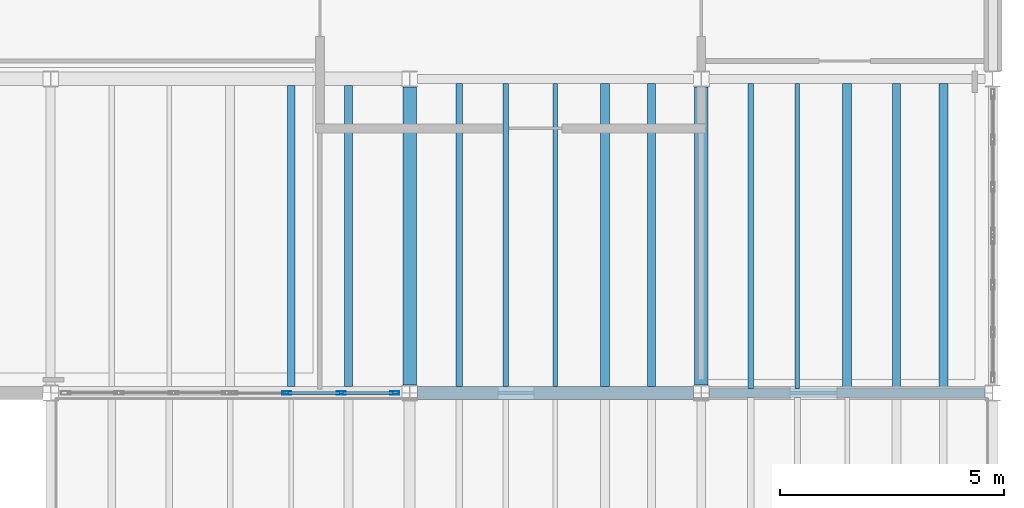
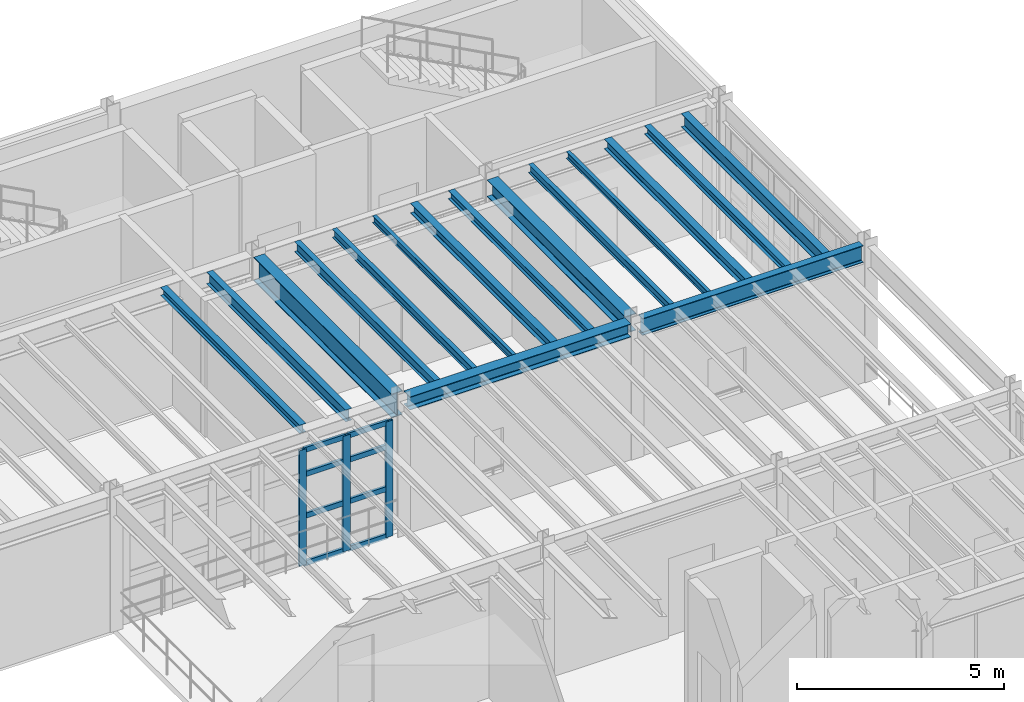
# One storey, part 14 of 27: 16 beams, 11 members, 1 element without a shape of its own.
"""IFC4 building model written with IfcOpenShell, lengths in metres."""

from ifc_helpers import new_model, si_unit, direction, frame, origin, origin_2d, place, context, subcontext, project, spatial, hollow_rectangle, i_section, extrude, material, material_profile, profile_set, type_object, element, aggregate, save


model = new_model("IFC4")

# Units and contexts
model_context = context("Model", 3, precision=1e-05, world=origin(), true_north=direction((0.0, 1.0)))
body_context = subcontext(model_context, "Body", "Model", "MODEL_VIEW")
ifc_project = project(units=[si_unit("LENGTHUNIT", "METRE"), si_unit("AREAUNIT", "SQUARE_METRE"), si_unit("VOLUMEUNIT", "CUBIC_METRE"), si_unit("PLANEANGLEUNIT", "RADIAN"), si_unit("MASSUNIT", "GRAM", prefix="KILO"), si_unit("THERMODYNAMICTEMPERATUREUNIT", "KELVIN"), si_unit("POWERUNIT", "WATT")], contexts=[model_context])

# Site, building, storey
site_placement = place(None, origin())
site = spatial("IfcSite", under=ifc_project, at=site_placement, CompositionType="ELEMENT")
building_placement = place(site_placement, origin())
building = spatial("IfcBuilding", under=site, at=building_placement, Name="Zhenchuan Central Fire Station", CompositionType="ELEMENT")
storey_placement = place(building_placement, frame((0.0, 0.0, 14.25)))
storey = spatial("IfcBuildingStorey", under=building, at=storey_placement, Name="L04", CompositionType="ELEMENT", Elevation=14.25)

# Beams
ifc_material_1 = material(Name="Steel Q355B", Category="steel")
ifc_material_profile_1 = material_profile(ifc_material_1, i_section(OverallWidth=0.300048828125, OverallDepth=0.389892578125, WebThickness=0.010009765625, FlangeThickness=0.01611328125, FilletRadius=0.02001953125, at=origin_2d()), Name="HM 390x300")
ifc_profile_set_1 = profile_set([ifc_material_profile_1], Name="Steel Q355B")
beam_type_1 = type_object("IfcBeamType", Name="BM-HM390-INT", PredefinedType="BEAM", material=ifc_profile_set_1)
beam_1_placement = place(storey_placement, frame((148.175048828125, 42.5, 3.804931640625), z_axis=(1.0, 0.0, 0.0), x_axis=(0.0, 1.0, 0.0)))
element("IfcBeam", 1, at=beam_1_placement, inside=storey, type_object=beam_type_1, Name="L05 Girder EW 0448", PredefinedType="BEAM", context=body_context, shape_type="SweptSolid", body=[
    extrude(i_section(OverallWidth=0.300048828125, OverallDepth=0.389892578125, WebThickness=0.010009765625, FlangeThickness=0.01611328125, FilletRadius=0.02001953125, at=origin_2d()), origin(), (0.0, 0.0, 1.0), 6.14990234375),
])
ifc_material_profile_2 = material_profile(ifc_material_1, i_section(OverallWidth=0.300048828125, OverallDepth=0.5, WebThickness=0.010986328125, FlangeThickness=0.01806640625, FilletRadius=0.02197265625, at=origin_2d()), Name="HM 500x300")
ifc_profile_set_2 = profile_set([ifc_material_profile_2], Name="Steel Q355B")
beam_type_2 = type_object("IfcBeamType", Name="BM-HM500-INT", PredefinedType="BEAM", material=ifc_profile_set_2)
beam_2_placement = place(storey_placement, frame((154.5, 42.675048828125, 3.75), z_axis=(0.0, 1.0, 0.0), x_axis=(-1.0, 0.0, 0.0)))
element("IfcBeam", 2, at=beam_2_placement, inside=storey, type_object=beam_type_2, Name="L05 Girder NS 0479", PredefinedType="BEAM", context=body_context, shape_type="SweptSolid", body=[
    extrude(i_section(OverallWidth=0.300048828125, OverallDepth=0.5, WebThickness=0.010986328125, FlangeThickness=0.01806640625, FilletRadius=0.02197265625, at=origin_2d()), origin(), (0.0, 0.0, 1.0), 6.64990234375),
])
ifc_material_profile_3 = material_profile(ifc_material_1, i_section(OverallWidth=0.300048828125, OverallDepth=0.699951171875, WebThickness=0.012939453125, FlangeThickness=0.02392578125, FilletRadius=0.02392578125, at=origin_2d()), Name="HN 700x300")
ifc_profile_set_3 = profile_set([ifc_material_profile_3], Name="Steel Q355B")
beam_type_3 = type_object("IfcBeamType", Name="BM-HN700", PredefinedType="BEAM", material=ifc_profile_set_3)
beam_3_placement = place(storey_placement, frame((148.0, 42.675048828125, 3.64990234375), z_axis=(0.0, 1.0, 0.0), x_axis=(-1.0, 0.0, 0.0)))
element("IfcBeam", 3, at=beam_3_placement, inside=storey, type_object=beam_type_3, Name="L05 Girder NS 0472", PredefinedType="BEAM", context=body_context, shape_type="SweptSolid", body=[
    extrude(i_section(OverallWidth=0.300048828125, OverallDepth=0.699951171875, WebThickness=0.012939453125, FlangeThickness=0.02392578125, FilletRadius=0.02392578125, at=origin_2d()), origin(), (0.0, 0.0, 1.0), 6.64990234375),
])

# Curtain wall, members
ifc_material_2 = material(Name="Anodised aluminium and low-E glazing", Category="aluminium")
curtain_wall_type = type_object("IfcCurtainWallType", Name="CW-MOD-01", PredefinedType="USERDEFINED", material=ifc_material_2)
curtain_wall_placement = place(storey_placement, origin())
curtain_wall = element("IfcCurtainWall", 4, at=curtain_wall_placement, inside=storey, type_object=curtain_wall_type, Name="L04 Unitised Curtain Wall 149", ObjectType="UNITISED GLAZING", PredefinedType="USERDEFINED")
ifc_material_3 = material(Name="Anodised aluminium EN AW-6063", Category="aluminium")
ifc_material_profile_4 = material_profile(ifc_material_3, hollow_rectangle(XDim=0.074951171875, YDim=0.199951171875, WallThickness=0.0048828125, at=origin_2d()), Name="ALU-M 200x75")
ifc_profile_set_4 = profile_set([ifc_material_profile_4], Name="Anodised aluminium EN AW-6063")
member_type_1 = type_object("IfcMemberType", Name="CW-MUL160", PredefinedType="MULLION", material=ifc_profile_set_4)
member_1_placement = place(storey_placement, frame((145.258544921875, 42.5, -0.00390625), z_axis=(0.0, 0.0, 1.0), x_axis=(0.0, 1.0, 0.0)))
member_1 = element("IfcMember", 5, at=member_1_placement, type_object=member_type_1, Name="CW-01 mullion 2", PredefinedType="MULLION", context=body_context, shape_type="SweptSolid", body=[
    extrude(hollow_rectangle(XDim=0.074951171875, YDim=0.199951171875, WallThickness=0.0048828125, at=origin_2d()), origin(), (0.0, 0.0, 1.0), 3.40380859375),
])
member_2_placement = place(storey_placement, frame((146.479248046875, 42.5, -0.00390625), z_axis=(0.0, 0.0, 1.0), x_axis=(0.0, 1.0, 0.0)))
member_2 = element("IfcMember", 6, at=member_2_placement, type_object=member_type_1, Name="CW-01 mullion 3", PredefinedType="MULLION", context=body_context, shape_type="SweptSolid", body=[
    extrude(hollow_rectangle(XDim=0.074951171875, YDim=0.199951171875, WallThickness=0.0048828125, at=origin_2d()), origin(), (0.0, 0.0, 1.0), 3.40380859375),
])
member_3_placement = place(storey_placement, frame((147.66748046875, 42.5, -0.00390625), z_axis=(0.0, 0.0, 1.0), x_axis=(0.0, 1.0, 0.0)))
member_3 = element("IfcMember", 7, at=member_3_placement, type_object=member_type_1, Name="CW-01 mullion 4", PredefinedType="MULLION", context=body_context, shape_type="SweptSolid", body=[
    extrude(hollow_rectangle(XDim=0.074951171875, YDim=0.199951171875, WallThickness=0.0048828125, at=origin_2d()), origin(), (0.0, 0.0, 1.0), 3.40380859375),
])
ifc_material_profile_5 = material_profile(ifc_material_3, hollow_rectangle(XDim=0.074951171875, YDim=0.14990234375, WallThickness=0.0048828125, at=origin_2d()), Name="ALU-T 150x75")
ifc_profile_set_5 = profile_set([ifc_material_profile_5], Name="Anodised aluminium EN AW-6063")
member_type_2 = type_object("IfcMemberType", Name="CW-TRN130", PredefinedType="NOTDEFINED", material=ifc_profile_set_5)
member_4_placement = place(storey_placement, frame((145.291259765625, 42.5, 0.028564453125), z_axis=(1.0, 0.0, 0.0), x_axis=(0.0, 1.0, 0.0)))
member_4 = element("IfcMember", 8, at=member_4_placement, type_object=member_type_2, Name="CW-01 transom 2.1", ObjectType="TRANSOM", PredefinedType="USERDEFINED", context=body_context, shape_type="SweptSolid", body=[
    extrude(hollow_rectangle(XDim=0.074951171875, YDim=0.14990234375, WallThickness=0.0048828125, at=origin_2d()), origin(), (0.0, 0.0, 1.0), 1.155517578125),
])
member_5_placement = place(storey_placement, frame((145.291259765625, 42.5, 1.427978515625), z_axis=(1.0, 0.0, 0.0), x_axis=(0.0, 1.0, 0.0)))
member_5 = element("IfcMember", 9, at=member_5_placement, type_object=member_type_2, Name="CW-01 transom 2.2", ObjectType="TRANSOM", PredefinedType="USERDEFINED", context=body_context, shape_type="SweptSolid", body=[
    extrude(hollow_rectangle(XDim=0.074951171875, YDim=0.14990234375, WallThickness=0.0048828125, at=origin_2d()), origin(), (0.0, 0.0, 1.0), 1.155517578125),
])
member_6_placement = place(storey_placement, frame((145.291259765625, 42.5, 2.652099609375), z_axis=(1.0, 0.0, 0.0), x_axis=(0.0, 1.0, 0.0)))
member_6 = element("IfcMember", 10, at=member_6_placement, type_object=member_type_2, Name="CW-01 transom 2.3", ObjectType="TRANSOM", PredefinedType="USERDEFINED", context=body_context, shape_type="SweptSolid", body=[
    extrude(hollow_rectangle(XDim=0.074951171875, YDim=0.14990234375, WallThickness=0.0048828125, at=origin_2d()), origin(), (0.0, 0.0, 1.0), 1.155517578125),
])
member_7_placement = place(storey_placement, frame((145.291259765625, 42.5, 3.367431640625), z_axis=(1.0, 0.0, 0.0), x_axis=(0.0, 1.0, 0.0)))
member_7 = element("IfcMember", 11, at=member_7_placement, type_object=member_type_2, Name="CW-01 transom 2.4", ObjectType="TRANSOM", PredefinedType="USERDEFINED", context=body_context, shape_type="SweptSolid", body=[
    extrude(hollow_rectangle(XDim=0.074951171875, YDim=0.14990234375, WallThickness=0.0048828125, at=origin_2d()), origin(), (0.0, 0.0, 1.0), 1.155517578125),
])
member_8_placement = place(storey_placement, frame((146.51171875, 42.5, 0.028564453125), z_axis=(1.0, 0.0, 0.0), x_axis=(0.0, 1.0, 0.0)))
member_8 = element("IfcMember", 12, at=member_8_placement, type_object=member_type_2, Name="CW-01 transom 3.1", ObjectType="TRANSOM", PredefinedType="USERDEFINED", context=body_context, shape_type="SweptSolid", body=[
    extrude(hollow_rectangle(XDim=0.074951171875, YDim=0.14990234375, WallThickness=0.0048828125, at=origin_2d()), origin(), (0.0, 0.0, 1.0), 1.123291015625),
])
member_9_placement = place(storey_placement, frame((146.51171875, 42.5, 1.427978515625), z_axis=(1.0, 0.0, 0.0), x_axis=(0.0, 1.0, 0.0)))
member_9 = element("IfcMember", 13, at=member_9_placement, type_object=member_type_2, Name="CW-01 transom 3.2", ObjectType="TRANSOM", PredefinedType="USERDEFINED", context=body_context, shape_type="SweptSolid", body=[
    extrude(hollow_rectangle(XDim=0.074951171875, YDim=0.14990234375, WallThickness=0.0048828125, at=origin_2d()), origin(), (0.0, 0.0, 1.0), 1.123291015625),
])
member_10_placement = place(storey_placement, frame((146.51171875, 42.5, 2.652099609375), z_axis=(1.0, 0.0, 0.0), x_axis=(0.0, 1.0, 0.0)))
member_10 = element("IfcMember", 14, at=member_10_placement, type_object=member_type_2, Name="CW-01 transom 3.3", ObjectType="TRANSOM", PredefinedType="USERDEFINED", context=body_context, shape_type="SweptSolid", body=[
    extrude(hollow_rectangle(XDim=0.074951171875, YDim=0.14990234375, WallThickness=0.0048828125, at=origin_2d()), origin(), (0.0, 0.0, 1.0), 1.123291015625),
])
member_11_placement = place(storey_placement, frame((146.51171875, 42.5, 3.367431640625), z_axis=(1.0, 0.0, 0.0), x_axis=(0.0, 1.0, 0.0)))
member_11 = element("IfcMember", 15, at=member_11_placement, type_object=member_type_2, Name="CW-01 transom 3.4", ObjectType="TRANSOM", PredefinedType="USERDEFINED", context=body_context, shape_type="SweptSolid", body=[
    extrude(hollow_rectangle(XDim=0.074951171875, YDim=0.14990234375, WallThickness=0.0048828125, at=origin_2d()), origin(), (0.0, 0.0, 1.0), 1.123291015625),
])
aggregate(curtain_wall, [member_1, member_2, member_3, member_4, member_5, member_6, member_7, member_8, member_9, member_10, member_11])

# Beams
ifc_material_profile_6 = material_profile(ifc_material_1, i_section(OverallWidth=0.175048828125, OverallDepth=0.243896484375, WebThickness=0.007080078125, FlangeThickness=0.010986328125, FilletRadius=0.012939453125, at=origin_2d()), Name="HM 244x175")
ifc_profile_set_6 = profile_set([ifc_material_profile_6], Name="Steel Q355B")
beam_type_4 = type_object("IfcBeamType", Name="JS-HM244", PredefinedType="JOIST", material=ifc_profile_set_6)
beam_4_placement = place(storey_placement, frame((145.360107421875, 42.64697265625, 3.8779296875), z_axis=(0.0, 1.0, 0.0), x_axis=(-1.0, 0.0, 0.0)))
element("IfcBeam", 16, at=beam_4_placement, inside=storey, type_object=beam_type_4, Name="L05 Secondary Joist 0774", PredefinedType="JOIST", context=body_context, shape_type="SweptSolid", body=[
    extrude(i_section(OverallWidth=0.175048828125, OverallDepth=0.243896484375, WebThickness=0.007080078125, FlangeThickness=0.010986328125, FilletRadius=0.012939453125, at=origin_2d()), origin(), (0.0, 0.0, 1.0), 6.7060546875),
])
beam_5_placement = place(storey_placement, frame((153.39501953125, 42.64697265625, 3.8779296875), z_axis=(0.0, 1.0, 0.0), x_axis=(-1.0, 0.0, 0.0)))
element("IfcBeam", 17, at=beam_5_placement, inside=storey, type_object=beam_type_4, Name="L05 Secondary Joist 0780", PredefinedType="JOIST", context=body_context, shape_type="SweptSolid", body=[
    extrude(i_section(OverallWidth=0.175048828125, OverallDepth=0.243896484375, WebThickness=0.007080078125, FlangeThickness=0.010986328125, FilletRadius=0.012939453125, at=origin_2d()), origin(), (0.0, 0.0, 1.0), 6.756103515625),
])
beam_6_placement = place(storey_placement, frame((158.85498046875, 42.596923828125, 3.8779296875), z_axis=(0.0, 1.0, 0.0), x_axis=(-1.0, 0.0, 0.0)))
element("IfcBeam", 18, at=beam_6_placement, inside=storey, type_object=beam_type_4, Name="L05 Secondary Joist 0784", PredefinedType="JOIST", context=body_context, shape_type="SweptSolid", body=[
    extrude(i_section(OverallWidth=0.175048828125, OverallDepth=0.243896484375, WebThickness=0.007080078125, FlangeThickness=0.010986328125, FilletRadius=0.012939453125, at=origin_2d()), origin(), (0.0, 0.0, 1.0), 6.80615234375),
])
ifc_material_profile_7 = material_profile(ifc_material_1, i_section(OverallWidth=0.199951171875, OverallDepth=0.2939453125, WebThickness=0.008056640625, FlangeThickness=0.011962890625, FilletRadius=0.01611328125, at=origin_2d()), Name="HM 294x200")
ifc_profile_set_7 = profile_set([ifc_material_profile_7], Name="Steel Q355B")
beam_type_5 = type_object("IfcBeamType", Name="JS-HM294", PredefinedType="JOIST", material=ifc_profile_set_7)
beam_7_placement = place(storey_placement, frame((152.35498046875, 42.64697265625, 3.85302734375), z_axis=(0.0, 1.0, 0.0), x_axis=(-1.0, 0.0, 0.0)))
element("IfcBeam", 19, at=beam_7_placement, inside=storey, type_object=beam_type_5, Name="L05 Secondary Joist 0779", PredefinedType="JOIST", context=body_context, shape_type="SweptSolid", body=[
    extrude(i_section(OverallWidth=0.199951171875, OverallDepth=0.2939453125, WebThickness=0.008056640625, FlangeThickness=0.011962890625, FilletRadius=0.01611328125, at=origin_2d()), origin(), (0.0, 0.0, 1.0), 6.756103515625),
])
beam_8_placement = place(storey_placement, frame((157.75, 42.596923828125, 3.85302734375), z_axis=(0.0, 1.0, 0.0), x_axis=(-1.0, 0.0, 0.0)))
element("IfcBeam", 20, at=beam_8_placement, inside=storey, type_object=beam_type_5, Name="L05 Secondary Joist 0783", PredefinedType="JOIST", context=body_context, shape_type="SweptSolid", body=[
    extrude(i_section(OverallWidth=0.199951171875, OverallDepth=0.2939453125, WebThickness=0.008056640625, FlangeThickness=0.011962890625, FilletRadius=0.01611328125, at=origin_2d()), origin(), (0.0, 0.0, 1.0), 6.80615234375),
])
ifc_material_profile_8 = material_profile(ifc_material_1, i_section(OverallWidth=0.10009765625, OverallDepth=0.199951171875, WebThickness=0.005615234375, FlangeThickness=0.008056640625, FilletRadius=0.010986328125, at=origin_2d()), Name="HN 200x100")
ifc_profile_set_8 = profile_set([ifc_material_profile_8], Name="Steel Q355B")
beam_type_6 = type_object("IfcBeamType", Name="JS-HN200", PredefinedType="JOIST", material=ifc_profile_set_8)
beam_9_placement = place(storey_placement, frame((151.25, 42.64697265625, 3.89990234375), z_axis=(0.0, 1.0, 0.0), x_axis=(-1.0, 0.0, 0.0)))
element("IfcBeam", 21, at=beam_9_placement, inside=storey, type_object=beam_type_6, Name="L05 Secondary Joist 0778", PredefinedType="JOIST", context=body_context, shape_type="SweptSolid", body=[
    extrude(i_section(OverallWidth=0.10009765625, OverallDepth=0.199951171875, WebThickness=0.005615234375, FlangeThickness=0.008056640625, FilletRadius=0.010986328125, at=origin_2d()), origin(), (0.0, 0.0, 1.0), 6.756103515625),
])
beam_10_placement = place(storey_placement, frame((156.64501953125, 42.596923828125, 3.89990234375), z_axis=(0.0, 1.0, 0.0), x_axis=(-1.0, 0.0, 0.0)))
element("IfcBeam", 22, at=beam_10_placement, inside=storey, type_object=beam_type_6, Name="L05 Secondary Joist 0782", PredefinedType="JOIST", context=body_context, shape_type="SweptSolid", body=[
    extrude(i_section(OverallWidth=0.10009765625, OverallDepth=0.199951171875, WebThickness=0.005615234375, FlangeThickness=0.008056640625, FilletRadius=0.010986328125, at=origin_2d()), origin(), (0.0, 0.0, 1.0), 6.80615234375),
])
ifc_material_profile_9 = material_profile(ifc_material_1, i_section(OverallWidth=0.125, OverallDepth=0.25, WebThickness=0.006103515625, FlangeThickness=0.009033203125, FilletRadius=0.011962890625, at=origin_2d()), Name="HN 250x125")
ifc_profile_set_9 = profile_set([ifc_material_profile_9], Name="Steel Q355B")
beam_type_7 = type_object("IfcBeamType", Name="JS-HN250", PredefinedType="JOIST", material=ifc_profile_set_9)
beam_11_placement = place(storey_placement, frame((150.14501953125, 42.64697265625, 3.875), z_axis=(0.0, 1.0, 0.0), x_axis=(-1.0, 0.0, 0.0)))
element("IfcBeam", 23, at=beam_11_placement, inside=storey, type_object=beam_type_7, Name="L05 Secondary Joist 0777", PredefinedType="JOIST", context=body_context, shape_type="SweptSolid", body=[
    extrude(i_section(OverallWidth=0.125, OverallDepth=0.25, WebThickness=0.006103515625, FlangeThickness=0.009033203125, FilletRadius=0.011962890625, at=origin_2d()), origin(), (0.0, 0.0, 1.0), 6.756103515625),
])
beam_12_placement = place(storey_placement, frame((155.60498046875, 42.596923828125, 3.875), z_axis=(0.0, 1.0, 0.0), x_axis=(-1.0, 0.0, 0.0)))
element("IfcBeam", 24, at=beam_12_placement, inside=storey, type_object=beam_type_7, Name="L05 Secondary Joist 0781", PredefinedType="JOIST", context=body_context, shape_type="SweptSolid", body=[
    extrude(i_section(OverallWidth=0.125, OverallDepth=0.25, WebThickness=0.006103515625, FlangeThickness=0.009033203125, FilletRadius=0.011962890625, at=origin_2d()), origin(), (0.0, 0.0, 1.0), 6.80615234375),
])
ifc_material_profile_10 = material_profile(ifc_material_1, i_section(OverallWidth=0.14990234375, OverallDepth=0.300048828125, WebThickness=0.006591796875, FlangeThickness=0.009033203125, FilletRadius=0.012939453125, at=origin_2d()), Name="HN 300x150")
ifc_profile_set_10 = profile_set([ifc_material_profile_10], Name="Steel Q355B")
beam_type_8 = type_object("IfcBeamType", Name="JS-HN300", PredefinedType="JOIST", material=ifc_profile_set_10)
beam_13_placement = place(storey_placement, frame((149.10498046875, 42.64697265625, 3.85009765625), z_axis=(0.0, 1.0, 0.0), x_axis=(-1.0, 0.0, 0.0)))
element("IfcBeam", 25, at=beam_13_placement, inside=storey, type_object=beam_type_8, Name="L05 Secondary Joist 0776", PredefinedType="JOIST", context=body_context, shape_type="SweptSolid", body=[
    extrude(i_section(OverallWidth=0.14990234375, OverallDepth=0.300048828125, WebThickness=0.006591796875, FlangeThickness=0.009033203125, FilletRadius=0.012939453125, at=origin_2d()), origin(), (0.0, 0.0, 1.0), 6.756103515625),
])
ifc_material_profile_11 = material_profile(ifc_material_1, i_section(OverallWidth=0.175048828125, OverallDepth=0.35009765625, WebThickness=0.007080078125, FlangeThickness=0.010986328125, FilletRadius=0.013916015625, at=origin_2d()), Name="HN 350x175")
ifc_profile_set_11 = profile_set([ifc_material_profile_11], Name="Steel Q355B")
beam_type_9 = type_object("IfcBeamType", Name="JS-HN350", PredefinedType="JOIST", material=ifc_profile_set_11)
beam_14_placement = place(storey_placement, frame((146.639892578125, 42.64697265625, 3.824951171875), z_axis=(0.0, 1.0, 0.0), x_axis=(-1.0, 0.0, 0.0)))
element("IfcBeam", 26, at=beam_14_placement, inside=storey, type_object=beam_type_9, Name="L05 Secondary Joist 0775", PredefinedType="JOIST", context=body_context, shape_type="SweptSolid", body=[
    extrude(i_section(OverallWidth=0.175048828125, OverallDepth=0.35009765625, WebThickness=0.007080078125, FlangeThickness=0.010986328125, FilletRadius=0.013916015625, at=origin_2d()), origin(), (0.0, 0.0, 1.0), 6.7060546875),
])
ifc_material_profile_12 = material_profile(ifc_material_1, i_section(OverallWidth=0.199951171875, OverallDepth=0.39990234375, WebThickness=0.008056640625, FlangeThickness=0.012939453125, FilletRadius=0.01611328125, at=origin_2d()), Name="HN 400x200")
ifc_profile_set_12 = profile_set([ifc_material_profile_12], Name="Steel Q355B")
beam_type_10 = type_object("IfcBeamType", Name="JS-HN400", PredefinedType="JOIST", material=ifc_profile_set_12)
beam_15_placement = place(storey_placement, frame((159.89501953125, 42.596923828125, 3.800048828125), z_axis=(0.0, 1.0, 0.0), x_axis=(-1.0, 0.0, 0.0)))
element("IfcBeam", 27, at=beam_15_placement, inside=storey, type_object=beam_type_10, Name="L05 Secondary Joist 0785", PredefinedType="JOIST", context=body_context, shape_type="SweptSolid", body=[
    extrude(i_section(OverallWidth=0.199951171875, OverallDepth=0.39990234375, WebThickness=0.008056640625, FlangeThickness=0.012939453125, FilletRadius=0.01611328125, at=origin_2d()), origin(), (0.0, 0.0, 1.0), 6.80615234375),
])
ifc_material_profile_13 = material_profile(ifc_material_1, i_section(OverallWidth=0.199951171875, OverallDepth=0.5, WebThickness=0.010009765625, FlangeThickness=0.01611328125, FilletRadius=0.02001953125, at=origin_2d()), Name="HN 500x200")
ifc_profile_set_13 = profile_set([ifc_material_profile_13], Name="Steel Q355B")
beam_type_11 = type_object("IfcBeamType", Name="SP-HN500-INT", PredefinedType="SPANDREL", material=ifc_profile_set_13)
beam_16_placement = place(storey_placement, frame((154.675048828125, 42.5, 3.75), z_axis=(1.0, 0.0, 0.0), x_axis=(0.0, 1.0, 0.0)))
element("IfcBeam", 28, at=beam_16_placement, inside=storey, type_object=beam_type_11, Name="L05 Girder EW 0449", PredefinedType="SPANDREL", context=body_context, shape_type="SweptSolid", body=[
    extrude(i_section(OverallWidth=0.199951171875, OverallDepth=0.5, WebThickness=0.010009765625, FlangeThickness=0.01611328125, FilletRadius=0.02001953125, at=origin_2d()), origin(), (0.0, 0.0, 1.0), 6.14990234375),
])

save(model, "model.ifc")
